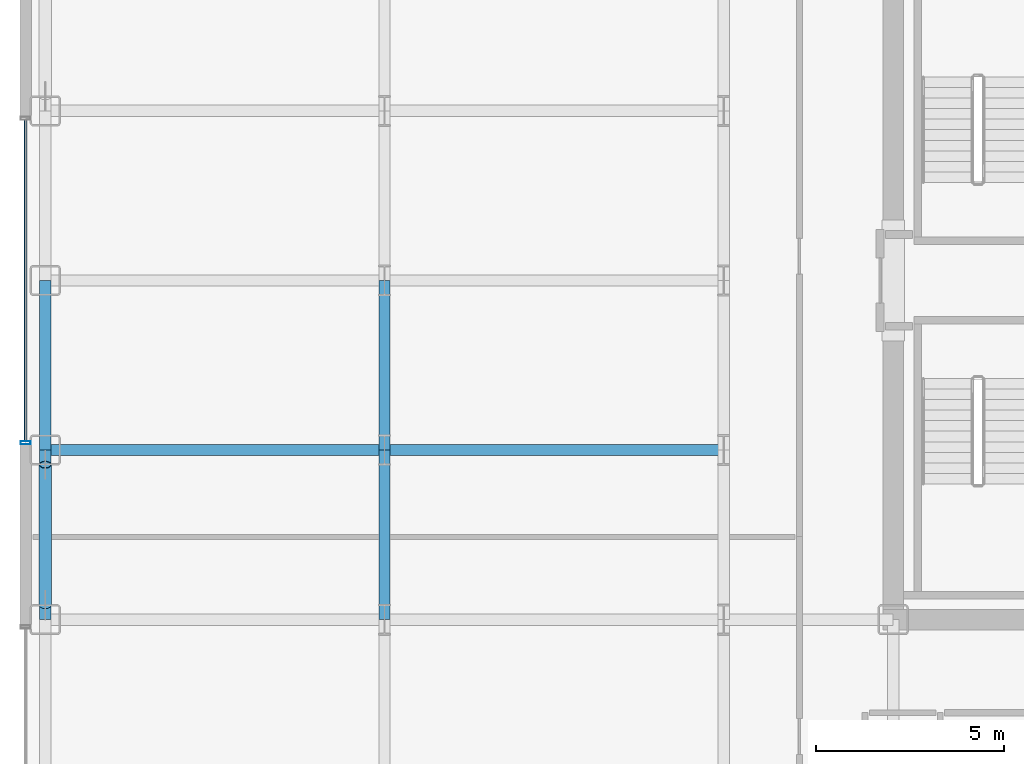
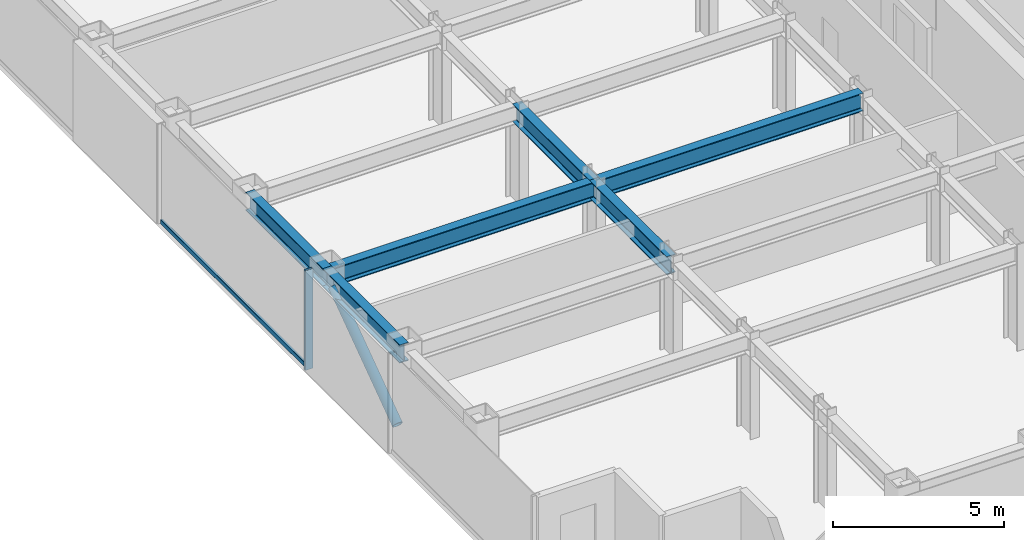
# One storey, part 6 of 25: 6 beams, 3 members, 1 element without a shape of its own.
"""IFC4 building model written with IfcOpenShell, lengths in metres."""

import ifcopenshell
import ifcopenshell.guid

model = None  # the IFC model being written
_history = None  # IfcOwnerHistory: only IFC2X3 demands one
_inside = {}  # id of a spatial element -> (the spatial element, [elements in it])
_under = {}  # id of a project, library or spatial element -> (it, [spatial elements below it])
_declared = {}  # id of a project -> (the project, [libraries it declares])
_typed = {}  # id of a type object -> (the type object, [elements of that type])
_made_of = {}  # id of a material, layer set ... -> (it, [elements and type objects made of it])


def new_model(schema):
    """Start an empty IFC model of exactly this schema.

    Asked for "IFC4X3", IfcOpenShell would pick the latest addendum, in which some entities
    have other attributes; the version numbers below select the first issue.
    IFC2X3 requires an IfcOwnerHistory on every rooted entity: one is made here for all.
    """
    global model, _history
    if schema == "IFC4X3":
        model = ifcopenshell.file(schema_version=(4, 3, 0, 0))
    else:
        model = ifcopenshell.file(schema=schema)
    _inside.clear()
    _under.clear()
    _declared.clear()
    _typed.clear()
    _made_of.clear()
    _history = None
    if model.schema == "IFC2X3":
        org = make("IfcOrganization", Name="unknown")
        user = make(
            "IfcPersonAndOrganization",
            ThePerson=make("IfcPerson", FamilyName="unknown"),
            TheOrganization=org,
        )
        app = make(
            "IfcApplication",
            ApplicationDeveloper=org,
            Version="unknown",
            ApplicationFullName="unknown",
            ApplicationIdentifier="unknown",
        )
        _history = make(
            "IfcOwnerHistory",
            OwningUser=user,
            OwningApplication=app,
            ChangeAction="ADDED",
            CreationDate=0,
        )
    return model


def make(cls, **values):
    """One entity of the class cls with the attributes given. An attribute that is None is left unset."""
    return model.create_entity(
        cls, **{name: value for name, value in values.items() if value is not None}
    )


def rooted(cls, **values):
    """An entity with a GlobalId (a new one), such as an element, a storey or a relation."""
    return make(cls, GlobalId=ifcopenshell.guid.new(), OwnerHistory=_history, **values)


def si_unit(unit_type, name, prefix=None):
    """IfcSIUnit, for example si_unit("LENGTHUNIT", "METRE", prefix="MILLI")."""
    return make("IfcSIUnit", UnitType=unit_type, Prefix=prefix, Name=name)


def assignment(units):
    """IfcUnitAssignment: the units of a project."""
    return None if units is None else make("IfcUnitAssignment", Units=units)


def point(xyz):
    """IfcCartesianPoint."""
    return None if xyz is None else make("IfcCartesianPoint", Coordinates=xyz)


def direction(xyz):
    """IfcDirection."""
    return None if xyz is None else make("IfcDirection", DirectionRatios=xyz)


def frame(location, z_axis=None, x_axis=None):
    """IfcAxis2Placement3D, a coordinate frame: its origin and axes. An axis left out is left unset."""
    return make(
        "IfcAxis2Placement3D",
        Location=point(location),
        Axis=direction(z_axis),
        RefDirection=direction(x_axis),
    )


def frame_2d(location, x_axis=None):
    """IfcAxis2Placement2D, a coordinate frame in the plane: its origin and x axis."""
    return make(
        "IfcAxis2Placement2D", Location=point(location), RefDirection=direction(x_axis)
    )


def origin():
    """The frame at (0, 0, 0) with its axes left unset."""
    return frame((0.0, 0.0, 0.0))


def origin_2d():
    """The frame at (0, 0) in the plane with its x axis left unset."""
    return frame_2d((0.0, 0.0))


def place(relative_to, where):
    """IfcLocalPlacement: puts the frame where relative to a parent placement (None: the world)."""
    return make(
        "IfcLocalPlacement", PlacementRelTo=relative_to, RelativePlacement=where
    )


def context(
    kind, dimensions, precision=None, world=None, true_north=None, identifier=None
):
    """IfcGeometricRepresentationContext, for example the 3D "Model" context."""
    return make(
        "IfcGeometricRepresentationContext",
        ContextIdentifier=identifier,
        ContextType=kind,
        CoordinateSpaceDimension=dimensions,
        Precision=precision,
        WorldCoordinateSystem=world,
        TrueNorth=true_north,
    )


def subcontext(parent, identifier, kind, view, scale=None):
    """IfcGeometricRepresentationSubContext, for example "Body" below "Model"."""
    return make(
        "IfcGeometricRepresentationSubContext",
        ContextIdentifier=identifier,
        ContextType=kind,
        ParentContext=parent,
        TargetScale=scale,
        TargetView=view,
    )


def project(units=None, contexts=None):
    """IfcProject with its units and contexts."""
    return rooted(
        "IfcProject",
        Name="project",
        RepresentationContexts=contexts,
        UnitsInContext=assignment(units),
    )


def spatial(cls, under=None, at=None, **own):
    """A site, building, storey or space (cls), placed at a placement, below another one or the project."""
    s = rooted(cls, ObjectPlacement=at, **own)
    if under is not None:
        _under.setdefault(under.id(), (under, []))[1].append(s)
    return s


def profile(cls, at=None, kind="AREA", **sizes):
    """A parametric profile (cls). Its sizes go by their IFC names, for example OverallWidth=200.0."""
    return make(cls, ProfileType=kind, Position=at, **sizes)


def hollow_rectangle(**sizes):
    """IfcRectangleHollowProfileDef."""
    return profile("IfcRectangleHollowProfileDef", **sizes)


def hollow_circle(**sizes):
    """IfcCircleHollowProfileDef."""
    return profile("IfcCircleHollowProfileDef", **sizes)


def i_section(**sizes):
    """IfcIShapeProfileDef."""
    return profile("IfcIShapeProfileDef", **sizes)


def extrude(swept, where, along, depth):
    """IfcExtrudedAreaSolid: the profile swept, set in the frame where, extruded along a direction by depth."""
    return make(
        "IfcExtrudedAreaSolid",
        SweptArea=swept,
        Position=where,
        ExtrudedDirection=direction(along),
        Depth=depth,
    )


def shape(context_of_items, identifier, shape_type, items):
    """IfcShapeRepresentation: the items that make up one representation, for example the "Body"."""
    return make(
        "IfcShapeRepresentation",
        ContextOfItems=context_of_items,
        RepresentationIdentifier=identifier,
        RepresentationType=shape_type,
        Items=items,
    )


def source(mapping_origin, context_of_items, identifier, shape_type, items):
    """IfcRepresentationMap: a shape defined once, which mapped items show again and again."""
    return make(
        "IfcRepresentationMap",
        MappingOrigin=mapping_origin,
        MappedRepresentation=shape(context_of_items, identifier, shape_type, items),
    )


def transform(
    local_origin,
    x_axis=None,
    y_axis=None,
    z_axis=None,
    scale=None,
    scale2=None,
    scale3=None,
    uniform=True,
):
    """IfcCartesianTransformationOperator3D, or its non-uniform kind. x_axis, y_axis, z_axis: its Axis1, 2, 3."""
    if uniform:
        return make(
            "IfcCartesianTransformationOperator3D",
            Axis1=direction(x_axis),
            Axis2=direction(y_axis),
            LocalOrigin=point(local_origin),
            Scale=scale,
            Axis3=direction(z_axis),
        )
    return make(
        "IfcCartesianTransformationOperator3DnonUniform",
        Axis1=direction(x_axis),
        Axis2=direction(y_axis),
        LocalOrigin=point(local_origin),
        Scale=scale,
        Axis3=direction(z_axis),
        Scale2=scale2,
        Scale3=scale3,
    )


def mapped(mapping_source, mapping_target):
    """IfcMappedItem: shows the shape of a source again, moved by a transform."""
    return make(
        "IfcMappedItem", MappingSource=mapping_source, MappingTarget=mapping_target
    )


def material(Name=None, Category=None):
    """IfcMaterial."""
    return make("IfcMaterial", Name=Name, Category=Category)


def layer(
    of_material, thickness, ventilated=None, Name=None, Category=None, Priority=None
):
    """IfcMaterialLayer: one layer of a wall or slab, of a material (None: an air gap)."""
    return make(
        "IfcMaterialLayer",
        Material=of_material,
        LayerThickness=thickness,
        IsVentilated=ventilated,
        Name=Name,
        Category=Category,
        Priority=Priority,
    )


def layer_set(layers, Name=None):
    """IfcMaterialLayerSet."""
    return make("IfcMaterialLayerSet", MaterialLayers=layers, LayerSetName=Name)


def material_profile(
    of_material, cross_section, Name=None, Category=None, Priority=None
):
    """IfcMaterialProfile: a cross section and its material."""
    return make(
        "IfcMaterialProfile",
        Name=Name,
        Material=of_material,
        Profile=cross_section,
        Priority=Priority,
        Category=Category,
    )


def profile_set(profiles, Name=None, composite=None):
    """IfcMaterialProfileSet."""
    return make(
        "IfcMaterialProfileSet",
        Name=Name,
        MaterialProfiles=profiles,
        CompositeProfile=composite,
    )


def made_of(thing, what):
    """Note that an element or type object is made of a material, layer set ...; save() writes the relation."""
    if what is not None:
        _made_of.setdefault(what.id(), (what, []))[1].append(thing)
    return thing


def type_object(cls, material=None, **own):
    """A type object (cls), such as IfcWallType, which elements share."""
    return made_of(rooted(cls, **own), material)


def element(
    cls,
    number,
    at=None,
    inside=None,
    cuts=None,
    type_object=None,
    material=None,
    context=None,
    identifier="Body",
    shape_type=None,
    held_by="IfcProductDefinitionShape",
    body=None,
    shapes=None,
    **own,
):
    """One element of the class cls, such as IfcWall. Its Tag is "e" and its number.

    at: its placement. inside: the storey or other place that contains it. cuts: it is an
    opening in that element (IfcRelVoidsElement). A single representation is given by context,
    identifier, shape_type and body (its items); several are given by shapes. held_by: the class
    of the entity that holds the representations. save() writes the other relations.
    """
    e = rooted(cls, Tag="e%d" % number, ObjectPlacement=at, **own)
    if body is not None:
        shapes = [shape(context, identifier, shape_type, body)]
    if shapes is not None:
        e.Representation = make(held_by, Representations=shapes)
    if inside is not None:
        _inside.setdefault(inside.id(), (inside, []))[1].append(e)
    if cuts is not None:
        rooted(
            "IfcRelVoidsElement", RelatingBuildingElement=cuts, RelatedOpeningElement=e
        )
    if type_object is not None:
        _typed.setdefault(type_object.id(), (type_object, []))[1].append(e)
    return made_of(e, material)


def aggregate(whole, parts):
    """IfcRelAggregates: a whole, such as a stair, and the parts it consists of."""
    return rooted("IfcRelAggregates", RelatingObject=whole, RelatedObjects=parts)


def save(model, path):
    """Write the relations noted so far, then the file.

    IfcRelAggregates (storeys below a building ...), IfcRelContainedInSpatialStructure (elements
    in a storey), IfcRelDefinesByType, IfcRelAssociatesMaterial and IfcRelDeclares: one each for
    every whole, place, type object, material and project.
    """
    for whole, parts in _under.values():
        aggregate(whole, parts)
    for where, things in _inside.values():
        rooted(
            "IfcRelContainedInSpatialStructure",
            RelatedElements=things,
            RelatingStructure=where,
        )
    for kind, things in _typed.values():
        rooted("IfcRelDefinesByType", RelatedObjects=things, RelatingType=kind)
    for what, things in _made_of.values():
        rooted("IfcRelAssociatesMaterial", RelatedObjects=things, RelatingMaterial=what)
    for by, libraries in _declared.values():
        rooted("IfcRelDeclares", RelatingContext=by, RelatedDefinitions=libraries)
    model.write(path)


model = new_model("IFC4")

# Units and contexts
model_context = context("Model", 3, precision=1e-05, world=origin(), true_north=direction((0.0, 1.0)))
body_context = subcontext(model_context, "Body", "Model", "MODEL_VIEW")
ifc_project = project(units=[si_unit("LENGTHUNIT", "METRE"), si_unit("AREAUNIT", "SQUARE_METRE"), si_unit("VOLUMEUNIT", "CUBIC_METRE"), si_unit("PLANEANGLEUNIT", "RADIAN"), si_unit("MASSUNIT", "GRAM", prefix="KILO")], contexts=[model_context])

# Site, building, storey
site_placement = place(None, origin())
site = spatial("IfcSite", under=ifc_project, at=site_placement, CompositionType="ELEMENT")
building_placement = place(site_placement, origin())
building = spatial("IfcBuilding", under=site, at=building_placement, Name="Nefas-Gora Pilgrimage Tower", CompositionType="ELEMENT")
storey_placement = place(building_placement, frame((0.0, 0.0, 194.39990234375)))
storey = spatial("IfcBuildingStorey", under=building, at=storey_placement, Name="L48", CompositionType="ELEMENT", Elevation=194.39990234375)

# Beams
ifc_material_1 = material(Name="Steel S355", Category="steel")
ifc_material_profile_1 = material_profile(ifc_material_1, i_section(OverallWidth=0.300048828125, OverallDepth=0.64990234375, WebThickness=0.01611328125, FlangeThickness=0.031005859375, FilletRadius=0.027099609375, at=origin_2d()), Name="HEB 650")
ifc_profile_set_1 = profile_set([ifc_material_profile_1], Name="Steel S355")
beam_type_1 = type_object("IfcBeamType", Name="BM-SPN-HEB500", PredefinedType="SPANDREL", material=ifc_profile_set_1)
shared_shape_1 = source(origin(), body_context, "Body", "SweptSolid", [
    extrude(i_section(OverallWidth=0.300048828125, OverallDepth=0.64990234375, WebThickness=0.01611328125, FlangeThickness=0.031005859375, FilletRadius=0.027099609375, at=origin_2d()), origin(), (0.0, 0.0, 1.0), 4.5),
])
for number, where, z_axis, x_axis, name in (
    (1, (-33.75, -9.0, 3.22509765625), (0.0, 1.0, 0.0), (-1.0, 0.0, 0.0), "L48 SP-02 beam"),
    (2, (-33.75, -4.5, 3.22509765625), (0.0, 1.0, 0.0), (-1.0, 0.0, 0.0), "L48 SP-02 beam"),
):
    element("IfcBeam", number, at=place(storey_placement, frame(where, z_axis=z_axis, x_axis=x_axis)), inside=storey, type_object=beam_type_1, Name=name, PredefinedType="SPANDREL", context=body_context, shape_type="MappedRepresentation", body=[
        mapped(shared_shape_1, transform((0.0, 0.0, 0.0), x_axis=(1.0, 0.0, 0.0), y_axis=(0.0, 1.0, 0.0), z_axis=(0.0, 0.0, 1.0), scale=1.0)),
    ])
ifc_material_profile_2 = material_profile(ifc_material_1, i_section(OverallWidth=0.300048828125, OverallDepth=0.64990234375, WebThickness=0.01611328125, FlangeThickness=0.031005859375, FilletRadius=0.027099609375, at=origin_2d()), Name="HEB 650")
ifc_profile_set_2 = profile_set([ifc_material_profile_2], Name="Steel S355")
beam_type_2 = type_object("IfcBeamType", Name="BM-GIR-HEB650", PredefinedType="BEAM", material=ifc_profile_set_2)
shared_shape_2 = source(origin(), body_context, "Body", "SweptSolid", [
    extrude(i_section(OverallWidth=0.300048828125, OverallDepth=0.64990234375, WebThickness=0.01611328125, FlangeThickness=0.031005859375, FilletRadius=0.027099609375, at=origin_2d()), origin(), (0.0, 0.0, 1.0), 9.0),
])
for number, where, z_axis, x_axis, name in (
    (3, (-33.75, -4.5, 3.22509765625), (1.0, 0.0, 0.0), (0.0, 1.0, 0.0), "L48 G-03 beam"),
    (4, (-24.75, -4.5, 3.22509765625), (1.0, 0.0, 0.0), (0.0, 1.0, 0.0), "L48 G-03 beam"),
):
    element("IfcBeam", number, at=place(storey_placement, frame(where, z_axis=z_axis, x_axis=x_axis)), inside=storey, type_object=beam_type_2, Name=name, PredefinedType="BEAM", context=body_context, shape_type="MappedRepresentation", body=[
        mapped(shared_shape_2, transform((0.0, 0.0, 0.0), x_axis=(1.0, 0.0, 0.0), y_axis=(0.0, 1.0, 0.0), z_axis=(0.0, 0.0, 1.0), scale=1.0)),
    ])
shared_shape_3 = source(origin(), body_context, "Body", "SweptSolid", [
    extrude(i_section(OverallWidth=0.300048828125, OverallDepth=0.64990234375, WebThickness=0.01611328125, FlangeThickness=0.031005859375, FilletRadius=0.027099609375, at=origin_2d()), origin(), (0.0, 0.0, 1.0), 4.5),
])
for number, where, z_axis, x_axis, name in (
    (5, (-24.75, -9.0, 3.22509765625), (0.0, 1.0, 0.0), (-1.0, 0.0, 0.0), "L48 G-03 beam"),
    (6, (-24.75, -4.5, 3.22509765625), (0.0, 1.0, 0.0), (-1.0, 0.0, 0.0), "L48 G-03 beam"),
):
    element("IfcBeam", number, at=place(storey_placement, frame(where, z_axis=z_axis, x_axis=x_axis)), inside=storey, type_object=beam_type_2, Name=name, PredefinedType="BEAM", context=body_context, shape_type="MappedRepresentation", body=[
        mapped(shared_shape_3, transform((0.0, 0.0, 0.0), x_axis=(1.0, 0.0, 0.0), y_axis=(0.0, 1.0, 0.0), z_axis=(0.0, 0.0, 1.0), scale=1.0)),
    ])

# Member
ifc_material_profile_3 = material_profile(ifc_material_1, hollow_circle(Radius=0.161865234375, WallThickness=0.02001953125, at=origin_2d()), Name="CHS 323.9x20")
ifc_profile_set_3 = profile_set([ifc_material_profile_3], Name="Steel S355")
member_type_1 = type_object("IfcMemberType", Name="MEM-TUBE-324", PredefinedType="BRACE", material=ifc_profile_set_3)
shared_shape_4 = source(origin(), body_context, "Body", "SweptSolid", [
    extrude(hollow_circle(Radius=0.161865234375, WallThickness=0.02001953125, at=origin_2d()), origin(), (0.0, 0.0, 1.0), 4.579345703125),
])
member_1_placement = place(storey_placement, frame((-33.75, -8.612060546875, 0.427734375), z_axis=(0.0, 0.813246879171, 0.581918820385), x_axis=(-1.0, 0.0, 0.0)))
element("IfcMember", 7, at=member_1_placement, inside=storey, type_object=member_type_1, Name="L48 Perimeter Tube Diagonal Brace W1", PredefinedType="BRACE", context=body_context, shape_type="MappedRepresentation", body=[
    mapped(shared_shape_4, transform((0.0, 0.0, 0.0), x_axis=(1.0, 0.0, 0.0), y_axis=(0.0, 1.0, 0.0), z_axis=(0.0, 0.0, 1.0), scale=1.0)),
])

# Curtain wall, members
ifc_material_2 = material(Name="Dark ceramic-fritted solar-control aluminium-glass curtain wall", Category="aluminium")
ifc_layer = layer(ifc_material_2, 0.219970703125)
ifc_layer_set = layer_set([ifc_layer], Name="Dark ceramic-fritted solar-control aluminium-glass curtain wall")
curtain_wall_type = type_object("IfcCurtainWallType", Name="CW-SYS-3", PredefinedType="NOTDEFINED", material=ifc_layer_set)
curtain_wall_placement = place(storey_placement, origin())
curtain_wall = element("IfcCurtainWall", 8, at=curtain_wall_placement, inside=storey, type_object=curtain_wall_type, Name="L48 Unitised Curtain Wall CW3", PredefinedType="NOTDEFINED")
ifc_material_3 = material(Name="Anodised architectural aluminium", Category="aluminium")
ifc_material_profile_4 = material_profile(ifc_material_3, hollow_rectangle(XDim=0.090087890625, YDim=0.260009765625, WallThickness=0.006103515625, InnerFilletRadius=0.006103515625, OuterFilletRadius=0.011962890625, at=origin_2d()), Name="ALU MULLION 90x260")
ifc_profile_set_4 = profile_set([ifc_material_profile_4], Name="Anodised architectural aluminium")
member_type_2 = type_object("IfcMemberType", Name="CWM-MUL-3", PredefinedType="MULLION", material=ifc_profile_set_4)
shared_shape_5 = source(origin(), body_context, "Body", "SweptSolid", [
    extrude(hollow_rectangle(XDim=0.090087890625, YDim=0.260009765625, WallThickness=0.006103515625, InnerFilletRadius=0.006103515625, OuterFilletRadius=0.011962890625, at=origin_2d()), origin(), (0.0, 0.0, 1.0), 3.550048828125),
])
member_2_placement = place(storey_placement, frame((-34.27001953125, -4.304931640625, 0.0), z_axis=(0.0, 0.0, 1.0), x_axis=(0.0, -1.0, 0.0)))
member_2 = element("IfcMember", 9, at=member_2_placement, type_object=member_type_2, Name="CW3 Mullion 2", PredefinedType="MULLION", context=body_context, shape_type="MappedRepresentation", body=[
    mapped(shared_shape_5, transform((0.0, 0.0, 0.0), x_axis=(1.0, 0.0, 0.0), y_axis=(0.0, 1.0, 0.0), z_axis=(0.0, 0.0, 1.0), scale=1.0)),
])
ifc_material_profile_5 = material_profile(ifc_material_3, hollow_rectangle(XDim=0.080078125, YDim=0.159912109375, WallThickness=0.00439453125, InnerFilletRadius=0.00439453125, OuterFilletRadius=0.009033203125, at=origin_2d()), Name="ALU TRANSOM 80x160")
ifc_profile_set_5 = profile_set([ifc_material_profile_5], Name="Anodised architectural aluminium")
member_type_3 = type_object("IfcMemberType", Name="CWM-TRN-3", PredefinedType="USERDEFINED", material=ifc_profile_set_5)
shared_shape_6 = source(origin(), body_context, "Body", "SweptSolid", [
    extrude(hollow_rectangle(XDim=0.080078125, YDim=0.159912109375, WallThickness=0.00439453125, InnerFilletRadius=0.00439453125, OuterFilletRadius=0.009033203125, at=origin_2d()), origin(), (0.0, 0.0, 1.0), 8.52001953125),
])
member_3_placement = place(storey_placement, frame((-34.27001953125, 4.260009765625, 0.050048828125), z_axis=(0.0, -1.0, 0.0), x_axis=(1.0, 0.0, 0.0)))
member_3 = element("IfcMember", 10, at=member_3_placement, type_object=member_type_3, Name="CW3 Spandrel Transom", ObjectType="TRANSOM", PredefinedType="USERDEFINED", context=body_context, shape_type="MappedRepresentation", body=[
    mapped(shared_shape_6, transform((0.0, 0.0, 0.0), x_axis=(1.0, 0.0, 0.0), y_axis=(0.0, 1.0, 0.0), z_axis=(0.0, 0.0, 1.0), scale=1.0)),
])
aggregate(curtain_wall, [member_2, member_3])

save(model, "model.ifc")
